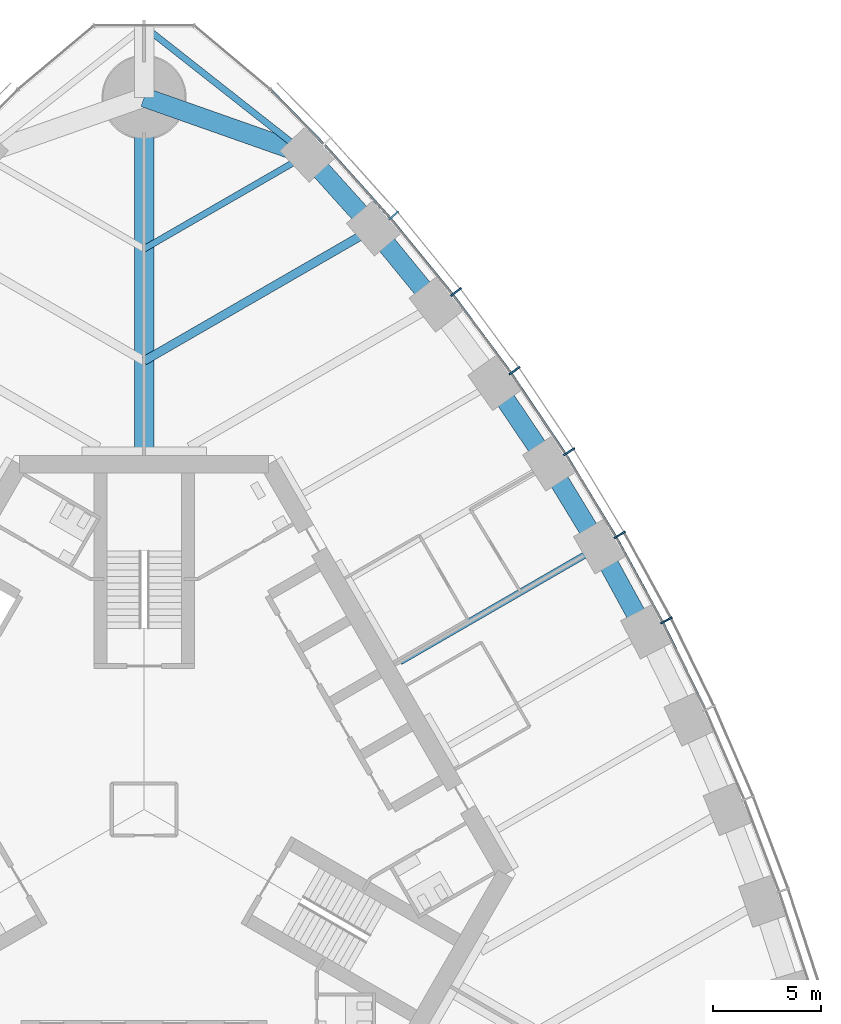
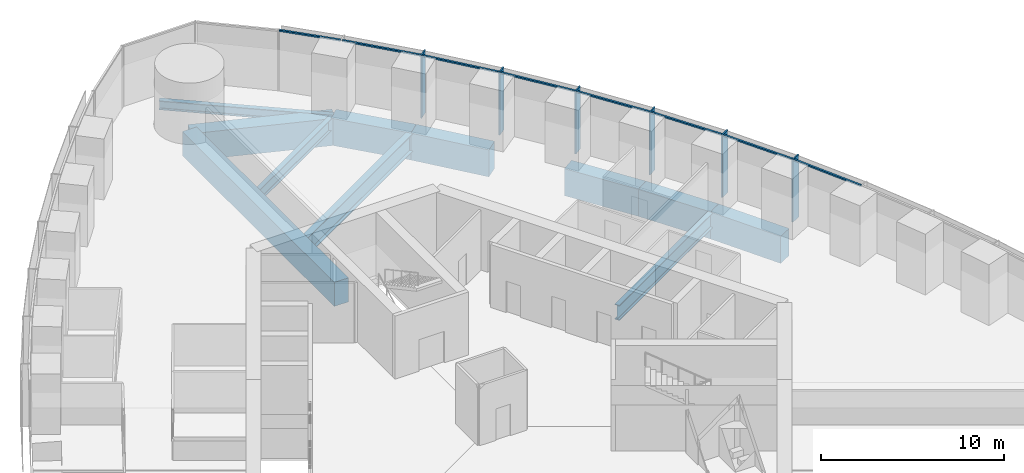
# One storey, part 7 of 18: 14 members, 11 beams, 1 element without a shape of its own.
"""IFC4 building model written with IfcOpenShell, lengths in metres."""

from ifc_helpers import new_model, si_unit, direction, frame, origin, origin_2d, place, context, subcontext, project, spatial, rectangle, i_section, extrude, material, material_profile, profile_set, type_object, element, aggregate, save


model = new_model("IFC4")

# Units and contexts
model_context = context("Model", 3, precision=1e-05, world=origin(), true_north=direction((0.0, 1.0)))
body_context = subcontext(model_context, "Body", "Model", "MODEL_VIEW")
ifc_project = project(units=[si_unit("LENGTHUNIT", "METRE"), si_unit("AREAUNIT", "SQUARE_METRE"), si_unit("VOLUMEUNIT", "CUBIC_METRE"), si_unit("PLANEANGLEUNIT", "RADIAN"), si_unit("MASSUNIT", "GRAM", prefix="KILO")], contexts=[model_context])

# Site, building, storey
site_placement = place(None, origin())
site = spatial("IfcSite", under=ifc_project, at=site_placement, CompositionType="ELEMENT")
building_placement = place(site_placement, origin())
building = spatial("IfcBuilding", under=site, at=building_placement, Name="Trefoil Bronze Tower", CompositionType="ELEMENT")
storey_placement = place(building_placement, frame((0.0, 0.0, 202.300048828125)))
storey = spatial("IfcBuildingStorey", under=building, at=storey_placement, Name="L46", CompositionType="ELEMENT", Elevation=202.300048828125)

# Curtain wall, members
ifc_material_1 = material(Name="Tinted solar-control glass", Category="glass")
curtain_wall_type = type_object("IfcCurtainWallType", Name="Bronze office curtain wall", PredefinedType="USERDEFINED", material=ifc_material_1)
curtain_wall_placement = place(storey_placement, origin())
curtain_wall = element("IfcCurtainWall", 1, at=curtain_wall_placement, inside=storey, type_object=curtain_wall_type, Name="CW-A L46 F2", ObjectType="CURTAIN WALL", PredefinedType="USERDEFINED")
ifc_material_2 = material(Name="Bronze-finish aluminium", Category="aluminium")
ifc_material_profile_1 = material_profile(ifc_material_2, rectangle(XDim=0.60009765625, YDim=0.080078125, at=origin_2d()), Name="CW-A mullion")
ifc_profile_set_1 = profile_set([ifc_material_profile_1], Name="Bronze-finish aluminium")
member_type_1 = type_object("IfcMemberType", Name="Bronze office curtain wall mullion", PredefinedType="MULLION", material=ifc_profile_set_1)
member_1_placement = place(storey_placement, frame((24.2080078125, 8.764404296875, 0.0), z_axis=(0.0, 0.0, 1.0), x_axis=(-0.888088206965, -0.459673075837, 0.0)))
member_1 = element("IfcMember", 2, at=member_1_placement, type_object=member_type_1, Name="CW-A L46 F2 mullion 6", PredefinedType="MULLION", context=body_context, shape_type="SweptSolid", body=[
    extrude(rectangle(XDim=0.60009765625, YDim=0.080078125, at=origin_2d()), origin(), (0.0, 0.0, 1.0), 4.179931640625),
])
member_2_placement = place(storey_placement, frame((22.041015625, 12.725341796875, 0.0), z_axis=(0.0, 0.0, 1.0), x_axis=(-0.866025403784, -0.5, 0.0)))
member_2 = element("IfcMember", 3, at=member_2_placement, type_object=member_type_1, Name="CW-A L46 F2 mullion 7", PredefinedType="MULLION", context=body_context, shape_type="SweptSolid", body=[
    extrude(rectangle(XDim=0.60009765625, YDim=0.080078125, at=origin_2d()), origin(), (0.0, 0.0, 1.0), 4.179931640625),
])
member_3_placement = place(storey_placement, frame((19.694091796875, 16.58251953125, 0.0), z_axis=(0.0, 0.0, 1.0), x_axis=(-0.842132664593, -0.539270410114, 0.0)))
member_3 = element("IfcMember", 4, at=member_3_placement, type_object=member_type_1, Name="CW-A L46 F2 mullion 8", PredefinedType="MULLION", context=body_context, shape_type="SweptSolid", body=[
    extrude(rectangle(XDim=0.60009765625, YDim=0.080078125, at=origin_2d()), origin(), (0.0, 0.0, 1.0), 4.179931640625),
])
member_4_placement = place(storey_placement, frame((17.167236328125, 20.335693359375, 0.0), z_axis=(0.0, 0.0, 1.0), x_axis=(-0.81640398396, -0.577481198806, 0.0)))
member_4 = element("IfcMember", 5, at=member_4_placement, type_object=member_type_1, Name="CW-A L46 F2 mullion 9", PredefinedType="MULLION", context=body_context, shape_type="SweptSolid", body=[
    extrude(rectangle(XDim=0.60009765625, YDim=0.080078125, at=origin_2d()), origin(), (0.0, 0.0, 1.0), 4.179931640625),
])
member_5_placement = place(storey_placement, frame((14.45849609375, 23.98388671875, 0.0), z_axis=(0.0, 0.0, 1.0), x_axis=(-0.788821461078, -0.614622406476, 0.0)))
member_5 = element("IfcMember", 6, at=member_5_placement, type_object=member_type_1, Name="CW-A L46 F2 mullion 10", PredefinedType="MULLION", context=body_context, shape_type="SweptSolid", body=[
    extrude(rectangle(XDim=0.60009765625, YDim=0.080078125, at=origin_2d()), origin(), (0.0, 0.0, 1.0), 4.179931640625),
])
member_6_placement = place(storey_placement, frame((11.564697265625, 27.525146484375, 0.0), z_axis=(0.0, 0.0, 1.0), x_axis=(-0.75935470958, -0.650676897576, 0.0)))
member_6 = element("IfcMember", 7, at=member_6_placement, type_object=member_type_1, Name="CW-A L46 F2 mullion 11", PredefinedType="MULLION", context=body_context, shape_type="SweptSolid", body=[
    extrude(rectangle(XDim=0.60009765625, YDim=0.080078125, at=origin_2d()), origin(), (0.0, 0.0, 1.0), 4.179931640625),
])
ifc_material_3 = material(Name="Bronze-finish aluminium", Category="aluminium")
ifc_material_profile_2 = material_profile(ifc_material_3, rectangle(XDim=0.1201171875, YDim=0.10009765625, at=origin_2d()), Name="CW-A transom")
ifc_profile_set_2 = profile_set([ifc_material_profile_2], Name="Bronze-finish aluminium")
member_type_2 = type_object("IfcMemberType", Name="Bronze office curtain wall transom", PredefinedType="USERDEFINED", material=ifc_profile_set_2)
member_7_placement = place(storey_placement, frame((25.99462890625, 4.65380859375, 4.1298828125), z_axis=(-0.439150835991, 0.898413347657, 0.0), x_axis=(-0.898413347657, -0.439150835991, 0.0)))
member_7 = element("IfcMember", 8, at=member_7_placement, type_object=member_type_2, Name="CW-A L46 F2 transom 5", ObjectType="TRANSOM", PredefinedType="USERDEFINED", context=body_context, shape_type="SweptSolid", body=[
    extrude(rectangle(XDim=0.1201171875, YDim=0.10009765625, at=origin_2d()), origin(), (0.0, 0.0, 1.0), 4.430908203125),
])
member_8_placement = place(storey_placement, frame((24.010009765625, 8.70947265625, 4.1298828125), z_axis=(-0.479973729071, 0.877282861683, 0.0), x_axis=(-0.877282861683, -0.479973729071, 0.0)))
member_8 = element("IfcMember", 9, at=member_8_placement, type_object=member_type_2, Name="CW-A L46 F2 transom 6", ObjectType="TRANSOM", PredefinedType="USERDEFINED", context=body_context, shape_type="SweptSolid", body=[
    extrude(rectangle(XDim=0.1201171875, YDim=0.10009765625, at=origin_2d()), origin(), (0.0, 0.0, 1.0), 4.421142578125),
])
member_9_placement = place(storey_placement, frame((21.845703125, 12.661376953125, 4.1298828125), z_axis=(-0.519740214649, 0.854324358354, 0.0), x_axis=(-0.854324358354, -0.519740214649, 0.0)))
member_9 = element("IfcMember", 10, at=member_9_placement, type_object=member_type_2, Name="CW-A L46 F2 transom 7", ObjectType="TRANSOM", PredefinedType="USERDEFINED", context=body_context, shape_type="SweptSolid", body=[
    extrude(rectangle(XDim=0.1201171875, YDim=0.10009765625, at=origin_2d()), origin(), (0.0, 0.0, 1.0), 4.421142578125),
])
member_10_placement = place(storey_placement, frame((19.502197265625, 16.509765625, 4.1298828125), z_axis=(-0.558509087547, 0.829498402125, 0.0), x_axis=(-0.829498402125, -0.558509087547, 0.0)))
member_10 = element("IfcMember", 11, at=member_10_placement, type_object=member_type_2, Name="CW-A L46 F2 transom 8", ObjectType="TRANSOM", PredefinedType="USERDEFINED", context=body_context, shape_type="SweptSolid", body=[
    extrude(rectangle(XDim=0.1201171875, YDim=0.10009765625, at=origin_2d()), origin(), (0.0, 0.0, 1.0), 4.4306640625),
])
member_11_placement = place(storey_placement, frame((16.978759765625, 20.254150390625, 4.1298828125), z_axis=(-0.59614822717, 0.802874393191, 0.0), x_axis=(-0.802874393191, -0.59614822717, 0.0)))
member_11 = element("IfcMember", 12, at=member_11_placement, type_object=member_type_2, Name="CW-A L46 F2 transom 9", ObjectType="TRANSOM", PredefinedType="USERDEFINED", context=body_context, shape_type="SweptSolid", body=[
    extrude(rectangle(XDim=0.1201171875, YDim=0.10009765625, at=origin_2d()), origin(), (0.0, 0.0, 1.0), 4.449951171875),
])
member_12_placement = place(storey_placement, frame((14.27392578125, 23.8935546875, 4.1298828125), z_axis=(-0.632756871921, 0.774350528531, 0.0), x_axis=(-0.774350528531, -0.632756871921, 0.0)))
member_12 = element("IfcMember", 13, at=member_12_placement, type_object=member_type_2, Name="CW-A L46 F2 transom 10", ObjectType="TRANSOM", PredefinedType="USERDEFINED", context=body_context, shape_type="SweptSolid", body=[
    extrude(rectangle(XDim=0.1201171875, YDim=0.10009765625, at=origin_2d()), origin(), (0.0, 0.0, 1.0), 4.4794921875),
])
member_13_placement = place(storey_placement, frame((11.384521484375, 27.426513671875, 4.1298828125), z_axis=(-0.66825109551, 0.743935799213, 0.0), x_axis=(-0.743935799213, -0.66825109551, 0.0)))
member_13 = element("IfcMember", 14, at=member_13_placement, type_object=member_type_2, Name="CW-A L46 F2 transom 11", ObjectType="TRANSOM", PredefinedType="USERDEFINED", context=body_context, shape_type="SweptSolid", body=[
    extrude(rectangle(XDim=0.1201171875, YDim=0.10009765625, at=origin_2d()), origin(), (0.0, 0.0, 1.0), 4.519287109375),
])
member_14_placement = place(storey_placement, frame((8.306884765625, 30.85009765625, 4.1298828125), z_axis=(-0.698646935368, 0.715466602785, 0.0), x_axis=(-0.715466602785, -0.698646935368, 0.0)))
member_14 = element("IfcMember", 15, at=member_14_placement, type_object=member_type_2, Name="CW-A L46 F2 transom 12", ObjectType="TRANSOM", PredefinedType="USERDEFINED", context=body_context, shape_type="SweptSolid", body=[
    extrude(rectangle(XDim=0.1201171875, YDim=0.10009765625, at=origin_2d()), origin(), (0.0, 0.0, 1.0), 3.483642578125),
])
aggregate(curtain_wall, [member_1, member_2, member_3, member_4, member_5, member_6, member_7, member_8, member_9, member_10, member_11, member_12, member_13, member_14])

# Beams
ifc_material_4 = material(Name="Steel C355", Category="steel")
ifc_material_profile_3 = material_profile(ifc_material_4, i_section(OverallWidth=0.300048828125, OverallDepth=0.60009765625, WebThickness=0.015380859375, FlangeThickness=0.030029296875, FilletRadius=0.027099609375, at=origin_2d()), Name="HEB 600")
ifc_profile_set_3 = profile_set([ifc_material_profile_3], Name="Steel C355")
beam_type_1 = type_object("IfcBeamType", Name="Corner edge beam HEB 600", PredefinedType="BEAM", material=ifc_profile_set_3)
beam_1_placement = place(storey_placement, frame((7.552001953125, 30.3408203125, -0.5), z_axis=(-0.785805912008, 0.618473175371, 0.0), x_axis=(-0.618473175371, -0.785805912008, 0.0)))
element("IfcBeam", 16, at=beam_1_placement, inside=storey, type_object=beam_type_1, Name="Corner edge beam F2A L46", PredefinedType="BEAM", context=body_context, shape_type="SweptSolid", body=[
    extrude(i_section(OverallWidth=0.300048828125, OverallDepth=0.60009765625, WebThickness=0.015380859375, FlangeThickness=0.030029296875, FilletRadius=0.027099609375, at=origin_2d()), origin(), (0.0, 0.0, 1.0), 9.610595703125),
])
ifc_material_5 = material(Name="Concrete B80", Category="concrete")
ifc_material_profile_4 = material_profile(ifc_material_5, rectangle(XDim=0.89990234375, YDim=1.60009765625, at=origin_2d()), Name="RC 900x1600")
ifc_profile_set_4 = profile_set([ifc_material_profile_4], Name="Concrete B80")
beam_type_2 = type_object("IfcBeamType", Name="Corner girder RC 900x1600", PredefinedType="BEAM", material=ifc_profile_set_4)
beam_2_placement = place(storey_placement, frame((0.0, 16.39990234375, -1.0), z_axis=(0.0, 1.0, 0.0), x_axis=(-1.0, 0.0, 0.0)))
element("IfcBeam", 17, at=beam_2_placement, inside=storey, type_object=beam_type_2, Name="Corner girder K2 L46", PredefinedType="BEAM", context=body_context, shape_type="SweptSolid", body=[
    extrude(rectangle(XDim=0.89990234375, YDim=1.60009765625, at=origin_2d()), origin(), (0.0, 0.0, 1.0), 16.60009765625),
])
ifc_material_6 = material(Name="Concrete B80", Category="concrete")
ifc_material_profile_5 = material_profile(ifc_material_6, rectangle(XDim=0.89990234375, YDim=1.800048828125, at=origin_2d()), Name="RC 900x1800")
ifc_profile_set_5 = profile_set([ifc_material_profile_5], Name="Concrete B80")
beam_type_3 = type_object("IfcBeamType", Name="End spandrel beam RC 900x1800", PredefinedType="SPANDREL", material=ifc_profile_set_5)
beam_3_placement = place(storey_placement, frame((7.552001953125, 30.3408203125, -1.10009765625), z_axis=(-0.943234397359, 0.332127794137, 0.0), x_axis=(-0.332127794137, -0.943234397359, 0.0)))
element("IfcBeam", 18, at=beam_3_placement, inside=storey, type_object=beam_type_3, Name="Spandrel F2.12 L46", PredefinedType="SPANDREL", context=body_context, shape_type="SweptSolid", body=[
    extrude(rectangle(XDim=0.89990234375, YDim=1.800048828125, at=origin_2d()), origin(), (0.0, 0.0, 1.0), 8.006591796875),
])
ifc_material_7 = material(Name="Steel C355", Category="steel")
ifc_material_profile_6 = material_profile(ifc_material_7, i_section(OverallWidth=0.300048828125, OverallDepth=0.800048828125, WebThickness=0.017578125, FlangeThickness=0.032958984375, FilletRadius=0.030029296875, at=origin_2d()), Name="HEB 800")
ifc_profile_set_6 = profile_set([ifc_material_profile_6], Name="Steel C355")
beam_type_4 = type_object("IfcBeamType", Name="Floor beam HEB 800", PredefinedType="BEAM", material=ifc_profile_set_6)
beam_4_placement = place(storey_placement, frame((7.552001953125, 30.3408203125, -0.60009765625), z_axis=(-0.866027535932, -0.499996306993, 0.0), x_axis=(0.499996306993, -0.866027535932, 0.0)))
element("IfcBeam", 19, at=beam_4_placement, inside=storey, type_object=beam_type_4, Name="Floor beam F2/+5 L46", PredefinedType="BEAM", context=body_context, shape_type="SweptSolid", body=[
    extrude(i_section(OverallWidth=0.300048828125, OverallDepth=0.800048828125, WebThickness=0.017578125, FlangeThickness=0.032958984375, FilletRadius=0.030029296875, at=origin_2d()), origin(), (0.0, 0.0, 1.0), 8.72021484375),
])
ifc_material_8 = material(Name="Steel C355", Category="steel")
ifc_material_profile_7 = material_profile(ifc_material_8, i_section(OverallWidth=0.302001953125, OverallDepth=1.008056640625, WebThickness=0.02099609375, FlangeThickness=0.0400390625, FilletRadius=0.030029296875, at=origin_2d()), Name="HEM 1000")
ifc_profile_set_7 = profile_set([ifc_material_profile_7], Name="Steel C355")
beam_type_5 = type_object("IfcBeamType", Name="Floor beam HEM 1000", PredefinedType="BEAM", material=ifc_profile_set_7)
beam_5_placement = place(storey_placement, frame((21.08837890625, 12.17529296875, -0.7041015625), z_axis=(-0.866034044198, -0.499985034066, 0.0), x_axis=(0.499985034066, -0.866034044198, 0.0)))
element("IfcBeam", 20, at=beam_5_placement, inside=storey, type_object=beam_type_5, Name="Floor beam F2/+0 L46", PredefinedType="BEAM", context=body_context, shape_type="SweptSolid", body=[
    extrude(i_section(OverallWidth=0.302001953125, OverallDepth=1.008056640625, WebThickness=0.02099609375, FlangeThickness=0.0400390625, FilletRadius=0.030029296875, at=origin_2d()), origin(), (0.0, 0.0, 1.0), 10.650634765625),
])
ifc_material_9 = material(Name="Steel C355", Category="steel")
ifc_material_profile_8 = material_profile(ifc_material_9, i_section(OverallWidth=0.39990234375, OverallDepth=1.199951171875, WebThickness=0.02001953125, FlangeThickness=0.0400390625, FilletRadius=0.010009765625, at=origin_2d()), Name="WPG 1200")
ifc_profile_set_8 = profile_set([ifc_material_profile_8], Name="Steel C355")
beam_type_6 = type_object("IfcBeamType", Name="Floor beam WPG 1200", PredefinedType="BEAM", material=ifc_profile_set_8)
beam_6_placement = place(storey_placement, frame((10.632080078125, 26.923095703125, -0.800048828125), z_axis=(-0.866025635187, -0.499999599199, 0.0), x_axis=(0.499999599199, -0.866025635187, 0.0)))
element("IfcBeam", 21, at=beam_6_placement, inside=storey, type_object=beam_type_6, Name="Floor beam F2/+4 L46", PredefinedType="BEAM", context=body_context, shape_type="SweptSolid", body=[
    extrude(i_section(OverallWidth=0.39990234375, OverallDepth=1.199951171875, WebThickness=0.02001953125, FlangeThickness=0.0400390625, FilletRadius=0.010009765625, at=origin_2d()), origin(), (0.0, 0.0, 1.0), 12.27685546875),
])
ifc_material_10 = material(Name="Concrete B80", Category="concrete")
ifc_material_profile_9 = material_profile(ifc_material_10, rectangle(XDim=0.89990234375, YDim=1.800048828125, at=origin_2d()), Name="RC 900x1800")
ifc_profile_set_9 = profile_set([ifc_material_profile_9], Name="Concrete B80")
beam_type_7 = type_object("IfcBeamType", Name="Spandrel beam RC 900x1800", PredefinedType="SPANDREL", material=ifc_profile_set_9)
for number, where, z_axis, x_axis, name in (
    (22, (23.248046875, 8.22607421875, -1.10009765625), (-0.479801903802, 0.87737684783, 0.0), (-0.87737684783, -0.479801903802, 0.0), "Spandrel F2.6 L46"),
    (23, (21.08837890625, 12.17529296875, -1.10009765625), (-0.519933181394, 0.854206934464, 0.0), (-0.854206934464, -0.519933181394, 0.0), "Spandrel F2.7 L46"),
):
    element("IfcBeam", number, at=place(storey_placement, frame(where, z_axis=z_axis, x_axis=x_axis)), inside=storey, type_object=beam_type_7, Name=name, PredefinedType="SPANDREL", context=body_context, shape_type="SweptSolid", body=[
        extrude(rectangle(XDim=0.89990234375, YDim=1.800048828125, at=origin_2d()), origin(), (0.0, 0.0, 1.0), 4.501220703125),
    ])
beam_7_placement = place(storey_placement, frame((18.748046875, 16.020263671875, -1.10009765625), z_axis=(-0.558964302753, 0.829191719838, 0.0), x_axis=(-0.829191719838, -0.558964302753, 0.0)))
element("IfcBeam", 24, at=beam_7_placement, inside=storey, type_object=beam_type_7, Name="Spandrel F2.8 L46", PredefinedType="SPANDREL", context=body_context, shape_type="SweptSolid", body=[
    extrude(rectangle(XDim=0.89990234375, YDim=1.800048828125, at=origin_2d()), origin(), (0.0, 0.0, 1.0), 4.510986328125),
])
beam_8_placement = place(storey_placement, frame((13.522216796875, 23.3955078125, -1.10009765625), z_axis=(-0.633753657863, 0.773534938542, 0.0), x_axis=(-0.773534938542, -0.633753657863, 0.0)))
element("IfcBeam", 25, at=beam_8_placement, inside=storey, type_object=beam_type_7, Name="Spandrel F2.10 L46", PredefinedType="SPANDREL", context=body_context, shape_type="SweptSolid", body=[
    extrude(rectangle(XDim=0.89990234375, YDim=1.800048828125, at=origin_2d()), origin(), (0.0, 0.0, 1.0), 4.560302734375),
])
beam_9_placement = place(storey_placement, frame((10.632080078125, 26.923095703125, -1.10009765625), z_axis=(-0.669460045872, 0.742848064534, 0.0), x_axis=(-0.742848064534, -0.669460045872, 0.0)))
element("IfcBeam", 26, at=beam_9_placement, inside=storey, type_object=beam_type_7, Name="Spandrel F2.11 L46", PredefinedType="SPANDREL", context=body_context, shape_type="SweptSolid", body=[
    extrude(rectangle(XDim=0.89990234375, YDim=1.800048828125, at=origin_2d()), origin(), (0.0, 0.0, 1.0), 4.600830078125),
])

save(model, "model.ifc")
